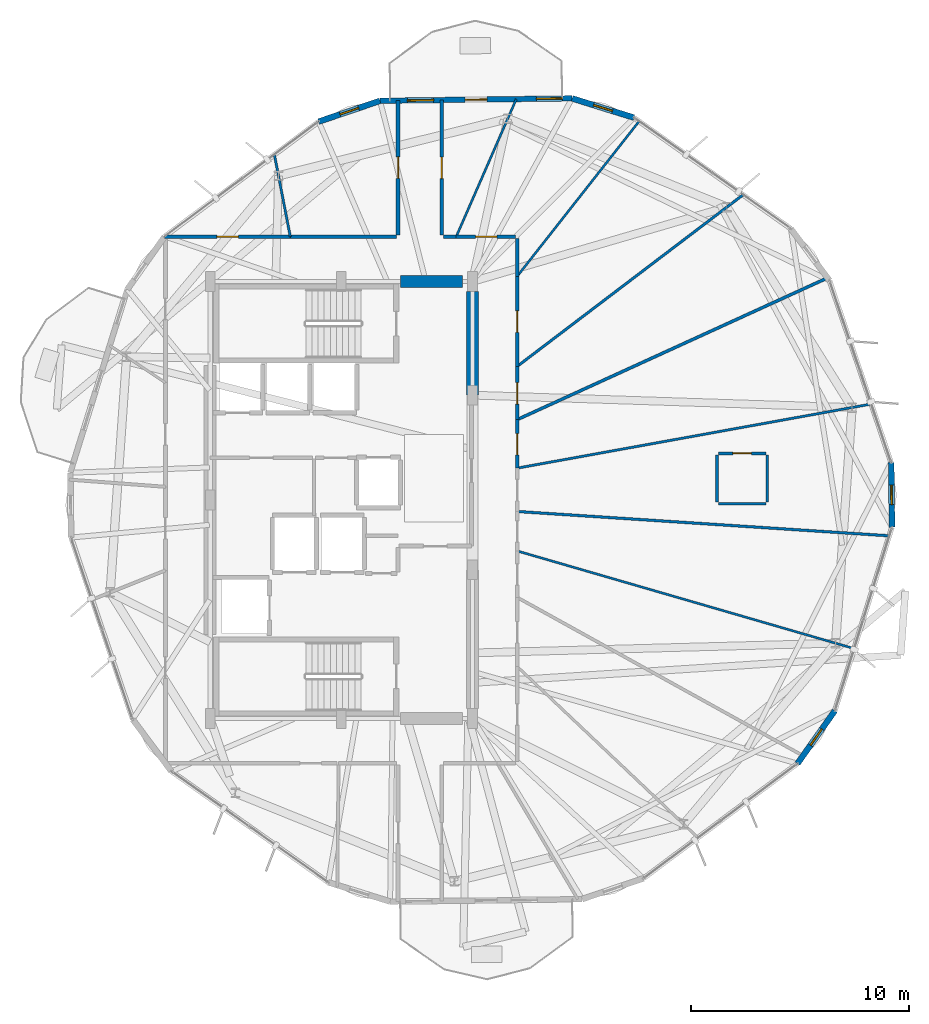
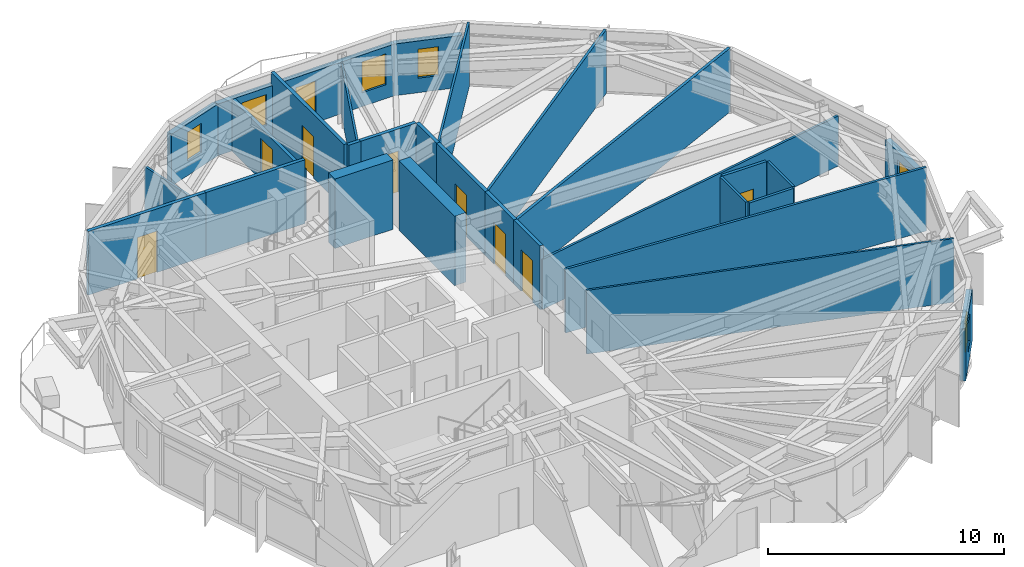
# One storey, part 23 of 27: 29 walls, 9 doors, 6 windows, 15 openings.
"""IFC4 building model written with IfcOpenShell, lengths in metres."""

from ifc_helpers import new_model, si_unit, direction, frame, frame_2d, origin, place, context, subcontext, project, spatial, rectangle, extrude, material, layer, layer_set, type_object, element, fill, save


model = new_model("IFC4")

# Units and contexts
model_context = context("Model", 3, precision=1e-05, world=origin(), true_north=direction((0.0, 1.0)))
body_context = subcontext(model_context, "Body", "Model", "MODEL_VIEW")
ifc_project = project(units=[si_unit("LENGTHUNIT", "METRE"), si_unit("AREAUNIT", "SQUARE_METRE"), si_unit("VOLUMEUNIT", "CUBIC_METRE"), si_unit("PLANEANGLEUNIT", "RADIAN"), si_unit("MASSUNIT", "GRAM", prefix="KILO")], contexts=[model_context])

# Site, building, storey
site_placement = place(None, origin())
site = spatial("IfcSite", under=ifc_project, at=site_placement, CompositionType="ELEMENT")
building_placement = place(site_placement, origin())
building = spatial("IfcBuilding", under=site, at=building_placement, Name="Soratama Intermodal Tower", CompositionType="ELEMENT")
storey_placement = place(building_placement, frame((0.0, 0.0, 167.800048828125)))
storey = spatial("IfcBuildingStorey", under=building, at=storey_placement, Name="L41", CompositionType="ELEMENT", Elevation=167.800048828125)

# Wall, openings, door, windows
ifc_material_1 = material(Name="Concrete f'c 42 MPa", Category="concrete")
ifc_layer_1 = layer(ifc_material_1, 0.25)
ifc_layer_set_1 = layer_set([ifc_layer_1], Name="Concrete f'c 42 MPa")
wall_type_1 = type_object("IfcWallType", Name="EW-BAL-250", PredefinedType="SOLIDWALL", material=ifc_layer_set_1)
wall_1_placement = place(storey_placement, frame((49.165283203125, 43.3828125, 0.0), z_axis=(0.0, 0.0, 1.0), x_axis=(-0.999921223342, -0.012551777187, 0.0)))
wall_1 = element("IfcWall", 1, at=wall_1_placement, inside=storey, type_object=wall_type_1, Name="L41 Terrace Wall F02", PredefinedType="SOLIDWALL", context=body_context, shape_type="SweptSolid", body=[
    extrude(rectangle(XDim=8.791748046875, YDim=0.25, at=frame_2d((4.39599609375, 0.0))), origin(), (0.0, 0.0, 1.0), 2.678955078125),
])
opening_1_placement = place(wall_1_placement, frame((3.895751953125, 0.0, 0.0)))
opening_1 = element("IfcOpeningElement", 2, at=opening_1_placement, cuts=wall_1, Name="Opening ED-2", PredefinedType="OPENING", context=body_context, shape_type="SweptSolid", body=[
    extrude(rectangle(XDim=1.0, YDim=2.14990234375, at=frame_2d((0.5, 1.074951171875))), frame((0.0, 0.135009765625, 0.0), z_axis=(0.0, -1.0, 0.0), x_axis=(1.0, 0.0, 0.0)), (0.0, 0.0, 1.0), 0.27001953125),
])
opening_2_placement = place(wall_1_placement, frame((0.43994140625, 0.0, 0.719970703125)))
opening_2 = element("IfcOpeningElement", 3, at=opening_2_placement, cuts=wall_1, Name="Opening WN-2", PredefinedType="OPENING", context=body_context, shape_type="SweptSolid", body=[
    extrude(rectangle(XDim=1.199951171875, YDim=1.60009765625, at=frame_2d((0.60009765625, 0.800048828125))), frame((0.0, 0.135009765625, 0.0), z_axis=(0.0, -1.0, 0.0), x_axis=(1.0, 0.0, 0.0)), (0.0, 0.0, 1.0), 0.27001953125),
])
opening_3_placement = place(wall_1_placement, frame((6.34375, 0.0, 0.719970703125)))
opening_3 = element("IfcOpeningElement", 4, at=opening_3_placement, cuts=wall_1, Name="Opening WN-2", PredefinedType="OPENING", context=body_context, shape_type="SweptSolid", body=[
    extrude(rectangle(XDim=1.199951171875, YDim=1.60009765625, at=frame_2d((0.60009765625, 0.800048828125))), frame((0.0, 0.135009765625, 0.0), z_axis=(0.0, -1.0, 0.0), x_axis=(1.0, 0.0, 0.0)), (0.0, 0.0, 1.0), 0.27001953125),
])
ifc_material_2 = material(Name="Double-glazed aluminium door", Category="aluminium")
door_type_1 = type_object("IfcDoorType", Name="DR-BAL-1000", OperationType="NOTDEFINED", PredefinedType="DOOR", material=ifc_material_2)
door_1_placement = place(opening_1_placement, origin())
door_1 = element("IfcDoor", 5, at=door_1_placement, inside=storey, type_object=door_type_1, Name="L41 Balcony Door F02", OperationType="SINGLE_SWING_RIGHT", OverallHeight=2.14990234375, OverallWidth=1.0, PredefinedType="DOOR", context=body_context, shape_type="SweptSolid", body=[
    extrude(rectangle(XDim=1.0, YDim=2.14990234375, at=frame_2d((0.5, 1.074951171875))), frame((0.0, 0.02490234375, 0.0), z_axis=(0.0, -1.0, 0.0), x_axis=(1.0, 0.0, 0.0)), (0.0, 0.0, 1.0), 0.050048828125),
])
fill(opening_1, door_1)
ifc_material_3 = material(Name="Double-glazed aluminium window", Category="aluminium")
window_type_1 = type_object("IfcWindowType", Name="WN-FAC-1200", PartitioningType="SINGLE_PANEL", PredefinedType="WINDOW", material=ifc_material_3)
window_1_placement = place(opening_2_placement, origin())
window_1 = element("IfcWindow", 6, at=window_1_placement, inside=storey, type_object=window_type_1, Name="L41 Window A F02", OverallHeight=1.60009765625, OverallWidth=1.199951171875, PartitioningType="SINGLE_PANEL", PredefinedType="WINDOW", context=body_context, shape_type="SweptSolid", body=[
    extrude(rectangle(XDim=1.199951171875, YDim=1.60009765625, at=frame_2d((0.60009765625, 0.800048828125))), frame((0.0, 0.030029296875, 0.0), z_axis=(0.0, -1.0, 0.0), x_axis=(1.0, 0.0, 0.0)), (0.0, 0.0, 1.0), 0.06005859375),
])
fill(opening_2, window_1)
window_2_placement = place(opening_3_placement, origin())
window_2 = element("IfcWindow", 7, at=window_2_placement, inside=storey, type_object=window_type_1, Name="L41 Window B F02", OverallHeight=1.60009765625, OverallWidth=1.199951171875, PartitioningType="SINGLE_PANEL", PredefinedType="WINDOW", context=body_context, shape_type="SweptSolid", body=[
    extrude(rectangle(XDim=1.199951171875, YDim=1.60009765625, at=frame_2d((0.60009765625, 0.800048828125))), frame((0.0, 0.030029296875, 0.0), z_axis=(0.0, -1.0, 0.0), x_axis=(1.0, 0.0, 0.0)), (0.0, 0.0, 1.0), 0.06005859375),
])
fill(opening_3, window_2)

# Wall, opening, window
ifc_material_4 = material(Name="Concrete f'c 42 MPa", Category="concrete")
ifc_layer_2 = layer(ifc_material_4, 0.27001953125)
ifc_layer_set_2 = layer_set([ifc_layer_2], Name="Concrete f'c 42 MPa")
wall_type_2 = type_object("IfcWallType", Name="EW-CRN-270", PredefinedType="SOLIDWALL", material=ifc_layer_set_2)
wall_2_placement = place(storey_placement, frame((51.997802734375, 42.501708984375, 0.0), z_axis=(0.0, 0.0, 1.0), x_axis=(-0.954868707694, 0.29702819911, 0.0)))
wall_2 = element("IfcWall", 8, at=wall_2_placement, inside=storey, type_object=wall_type_2, Name="L41 Corner Closure Wall 01", PredefinedType="SOLIDWALL", context=body_context, shape_type="SweptSolid", body=[
    extrude(rectangle(XDim=2.96630859375, YDim=0.27001953125, at=frame_2d((1.483154296875, 0.0))), origin(), (0.0, 0.0, 1.0), 2.678955078125),
])
opening_4_placement = place(wall_2_placement, frame((1.033203125, 0.0, 0.75)))
opening_4 = element("IfcOpeningElement", 9, at=opening_4_placement, cuts=wall_2, Name="Opening WN-6", PredefinedType="OPENING", context=body_context, shape_type="SweptSolid", body=[
    extrude(rectangle(XDim=0.89990234375, YDim=1.5, at=frame_2d((0.449951171875, 0.75))), frame((0.0, 0.14501953125, 0.0), z_axis=(0.0, -1.0, 0.0), x_axis=(1.0, 0.0, 0.0)), (0.0, 0.0, 1.0), 0.2900390625),
])
ifc_material_5 = material(Name="Double-glazed aluminium window", Category="aluminium")
window_type_2 = type_object("IfcWindowType", Name="WN-FAC-900", PartitioningType="SINGLE_PANEL", PredefinedType="WINDOW", material=ifc_material_5)
window_3_placement = place(opening_4_placement, origin())
window_3 = element("IfcWindow", 10, at=window_3_placement, inside=storey, type_object=window_type_2, Name="L41 Corner Window 01", OverallHeight=1.5, OverallWidth=0.89990234375, PartitioningType="SINGLE_PANEL", PredefinedType="WINDOW", context=body_context, shape_type="SweptSolid", body=[
    extrude(rectangle(XDim=0.89990234375, YDim=1.5, at=frame_2d((0.449951171875, 0.75))), frame((0.0, 0.030029296875, 0.0), z_axis=(0.0, -1.0, 0.0), x_axis=(1.0, 0.0, 0.0)), (0.0, 0.0, 1.0), 0.06005859375),
])
fill(opening_4, window_3)

wall_3_placement = place(storey_placement, frame((40.374267578125, 43.2724609375, 0.0), z_axis=(0.0, 0.0, 1.0), x_axis=(-0.947099800271, -0.320939197242, 0.0)))
wall_3 = element("IfcWall", 11, at=wall_3_placement, inside=storey, type_object=wall_type_2, Name="L41 Corner Closure Wall 02", PredefinedType="SOLIDWALL", context=body_context, shape_type="SweptSolid", body=[
    extrude(rectangle(XDim=2.966796875, YDim=0.27001953125, at=frame_2d((1.4833984375, 0.0))), origin(), (0.0, 0.0, 1.0), 2.678955078125),
])
opening_5_placement = place(wall_3_placement, frame((1.033203125, 0.0, 0.75)))
opening_5 = element("IfcOpeningElement", 12, at=opening_5_placement, cuts=wall_3, Name="Opening WN-6", PredefinedType="OPENING", context=body_context, shape_type="SweptSolid", body=[
    extrude(rectangle(XDim=0.89990234375, YDim=1.5, at=frame_2d((0.449951171875, 0.75))), frame((0.0, 0.14501953125, 0.0), z_axis=(0.0, -1.0, 0.0), x_axis=(1.0, 0.0, 0.0)), (0.0, 0.0, 1.0), 0.2900390625),
])
window_4_placement = place(opening_5_placement, origin())
window_4 = element("IfcWindow", 13, at=window_4_placement, inside=storey, type_object=window_type_2, Name="L41 Corner Window 02", OverallHeight=1.5, OverallWidth=0.89990234375, PartitioningType="SINGLE_PANEL", PredefinedType="WINDOW", context=body_context, shape_type="SweptSolid", body=[
    extrude(rectangle(XDim=0.89990234375, YDim=1.5, at=frame_2d((0.449951171875, 0.75))), frame((0.0, 0.030029296875, 0.0), z_axis=(0.0, -1.0, 0.0), x_axis=(1.0, 0.0, 0.0)), (0.0, 0.0, 1.0), 0.06005859375),
])
fill(opening_5, window_4)

wall_4_placement = place(storey_placement, frame((59.482666015625, 12.936279296875, 0.0), z_axis=(0.0, 0.0, 1.0), x_axis=(0.577542313639, 0.816360751112, 0.0)))
wall_4 = element("IfcWall", 14, at=wall_4_placement, inside=storey, type_object=wall_type_2, Name="L41 Corner Closure Wall 08", PredefinedType="SOLIDWALL", context=body_context, shape_type="SweptSolid", body=[
    extrude(rectangle(XDim=2.966552734375, YDim=0.27001953125, at=frame_2d((1.4833984375, 0.0))), origin(), (0.0, 0.0, 1.0), 2.678955078125),
])
opening_6_placement = place(wall_4_placement, frame((1.033203125, 0.0, 0.75)))
opening_6 = element("IfcOpeningElement", 15, at=opening_6_placement, cuts=wall_4, Name="Opening WN-6", PredefinedType="OPENING", context=body_context, shape_type="SweptSolid", body=[
    extrude(rectangle(XDim=0.89990234375, YDim=1.5, at=frame_2d((0.449951171875, 0.75))), frame((0.0, 0.14501953125, 0.0), z_axis=(0.0, -1.0, 0.0), x_axis=(1.0, 0.0, 0.0)), (0.0, 0.0, 1.0), 0.2900390625),
])
window_5_placement = place(opening_6_placement, origin())
window_5 = element("IfcWindow", 16, at=window_5_placement, inside=storey, type_object=window_type_2, Name="L41 Corner Window 08", OverallHeight=1.5, OverallWidth=0.89990234375, PartitioningType="SINGLE_PANEL", PredefinedType="WINDOW", context=body_context, shape_type="SweptSolid", body=[
    extrude(rectangle(XDim=0.89990234375, YDim=1.5, at=frame_2d((0.449951171875, 0.75))), frame((0.0, 0.030029296875, 0.0), z_axis=(0.0, -1.0, 0.0), x_axis=(1.0, 0.0, 0.0)), (0.0, 0.0, 1.0), 0.06005859375),
])
fill(opening_6, window_5)

wall_5_placement = place(storey_placement, frame((63.8076171875, 23.7529296875, 0.0), z_axis=(0.0, 0.0, 1.0), x_axis=(-0.012591594286, 0.999920722734, 0.0)))
wall_5 = element("IfcWall", 17, at=wall_5_placement, inside=storey, type_object=wall_type_2, Name="L41 Corner Closure Wall 09", PredefinedType="SOLIDWALL", context=body_context, shape_type="SweptSolid", body=[
    extrude(rectangle(XDim=2.966552734375, YDim=0.27001953125, at=frame_2d((1.4833984375, 0.0))), origin(), (0.0, 0.0, 1.0), 2.678955078125),
])
opening_7_placement = place(wall_5_placement, frame((1.033203125, 0.0, 0.75)))
opening_7 = element("IfcOpeningElement", 18, at=opening_7_placement, cuts=wall_5, Name="Opening WN-6", PredefinedType="OPENING", context=body_context, shape_type="SweptSolid", body=[
    extrude(rectangle(XDim=0.89990234375, YDim=1.5, at=frame_2d((0.449951171875, 0.75))), frame((0.0, 0.14501953125, 0.0), z_axis=(0.0, -1.0, 0.0), x_axis=(1.0, 0.0, 0.0)), (0.0, 0.0, 1.0), 0.2900390625),
])
window_6_placement = place(opening_7_placement, origin())
window_6 = element("IfcWindow", 19, at=window_6_placement, inside=storey, type_object=window_type_2, Name="L41 Corner Window 09", OverallHeight=1.5, OverallWidth=0.89990234375, PartitioningType="SINGLE_PANEL", PredefinedType="WINDOW", context=body_context, shape_type="SweptSolid", body=[
    extrude(rectangle(XDim=0.89990234375, YDim=1.5, at=frame_2d((0.449951171875, 0.75))), frame((0.0, 0.030029296875, 0.0), z_axis=(0.0, -1.0, 0.0), x_axis=(1.0, 0.0, 0.0)), (0.0, 0.0, 1.0), 0.06005859375),
])
fill(opening_7, window_6)

# Wall, opening, door
ifc_material_6 = material(Name="Fire-rated gypsum stud partition", Category="concrete")
ifc_layer_3 = layer(ifc_material_6, 0.169921875)
ifc_layer_set_3 = layer_set([ifc_layer_3], Name="Fire-rated gypsum stud partition")
wall_type_3 = type_object("IfcWallType", Name="IW-PART-R170", PredefinedType="PARTITIONING", material=ifc_layer_set_3)
wall_6_placement = place(storey_placement, frame((43.199951171875, 43.30810546875, 0.0), z_axis=(0.0, 0.0, 1.0), x_axis=(0.0, -1.0, 0.0)))
wall_6 = element("IfcWall", 20, at=wall_6_placement, inside=storey, type_object=wall_type_3, Name="L41 Partition W-L41-TP017", PredefinedType="PARTITIONING", context=body_context, shape_type="SweptSolid", body=[
    extrude(rectangle(XDim=6.18798828125, YDim=0.169921875, at=frame_2d((3.093994140625, 0.0))), origin(), (0.0, 0.0, 1.0), 3.300048828125),
])
opening_8_placement = place(wall_6_placement, frame((2.618896484375, 0.0, 0.0)))
opening_8 = element("IfcOpeningElement", 21, at=opening_8_placement, cuts=wall_6, Name="Opening ID-5", PredefinedType="OPENING", context=body_context, shape_type="SweptSolid", body=[
    extrude(rectangle(XDim=0.97998046875, YDim=2.14990234375, at=frame_2d((0.489990234375, 1.074951171875))), frame((0.0, 0.094970703125, 0.0), z_axis=(0.0, -1.0, 0.0), x_axis=(1.0, 0.0, 0.0)), (0.0, 0.0, 1.0), 0.18994140625),
])
ifc_material_7 = material(Name="Solid hardwood acoustic door", Category="wood")
door_type_2 = type_object("IfcDoorType", Name="DR-OFF-980", OperationType="NOTDEFINED", PredefinedType="DOOR", material=ifc_material_7)
door_2_placement = place(opening_8_placement, origin())
door_2 = element("IfcDoor", 22, at=door_2_placement, inside=storey, type_object=door_type_2, Name="L41 Door D-L41-TP007", OperationType="SINGLE_SWING_RIGHT", OverallHeight=2.14990234375, OverallWidth=0.97998046875, PredefinedType="DOOR", context=body_context, shape_type="SweptSolid", body=[
    extrude(rectangle(XDim=0.97998046875, YDim=2.14990234375, at=frame_2d((0.489990234375, 1.074951171875))), frame((0.0, 0.02490234375, 0.0), z_axis=(0.0, -1.0, 0.0), x_axis=(1.0, 0.0, 0.0)), (0.0, 0.0, 1.0), 0.050048828125),
])
fill(opening_8, door_2)

wall_7_placement = place(storey_placement, frame((41.199951171875, 37.1201171875, 0.0), z_axis=(0.0, 0.0, 1.0), x_axis=(0.0, 1.0, 0.0)))
wall_7 = element("IfcWall", 23, at=wall_7_placement, inside=storey, type_object=wall_type_3, Name="L41 Partition W-L41-TP018", PredefinedType="PARTITIONING", context=body_context, shape_type="SweptSolid", body=[
    extrude(rectangle(XDim=6.162841796875, YDim=0.169921875, at=frame_2d((3.08154296875, 0.0))), origin(), (0.0, 0.0, 1.0), 2.677978515625),
])
opening_9_placement = place(wall_7_placement, frame((2.60693359375, 0.0, 0.0)))
opening_9 = element("IfcOpeningElement", 24, at=opening_9_placement, cuts=wall_7, Name="Opening ID-5", PredefinedType="OPENING", context=body_context, shape_type="SweptSolid", body=[
    extrude(rectangle(XDim=0.97998046875, YDim=2.14990234375, at=frame_2d((0.489990234375, 1.074951171875))), frame((0.0, 0.094970703125, 0.0), z_axis=(0.0, -1.0, 0.0), x_axis=(1.0, 0.0, 0.0)), (0.0, 0.0, 1.0), 0.18994140625),
])
door_3_placement = place(opening_9_placement, origin())
door_3 = element("IfcDoor", 25, at=door_3_placement, inside=storey, type_object=door_type_2, Name="L41 Door D-L41-TP008", OperationType="SINGLE_SWING_LEFT", OverallHeight=2.14990234375, OverallWidth=0.97998046875, PredefinedType="DOOR", context=body_context, shape_type="SweptSolid", body=[
    extrude(rectangle(XDim=0.97998046875, YDim=2.14990234375, at=frame_2d((0.489990234375, 1.074951171875))), frame((0.0, 0.02490234375, 0.0), z_axis=(0.0, -1.0, 0.0), x_axis=(1.0, 0.0, 0.0)), (0.0, 0.0, 1.0), 0.050048828125),
])
fill(opening_9, door_3)

wall_8_placement = place(storey_placement, frame((30.50390625, 37.050048828125, 0.0), z_axis=(0.0, 0.0, 1.0), x_axis=(1.0, 0.0, 0.0)))
wall_8 = element("IfcWall", 26, at=wall_8_placement, inside=storey, type_object=wall_type_3, Name="L41 Partition W-L41-TP019", PredefinedType="PARTITIONING", context=body_context, shape_type="SweptSolid", body=[
    extrude(rectangle(XDim=5.76318359375, YDim=0.169921875, at=frame_2d((2.881591796875, 0.0))), origin(), (0.0, 0.0, 1.0), 3.300048828125),
])
opening_10_placement = place(wall_8_placement, frame((2.406982421875, 0.0, 0.0)))
opening_10 = element("IfcOpeningElement", 27, at=opening_10_placement, cuts=wall_8, Name="Opening ID-5", PredefinedType="OPENING", context=body_context, shape_type="SweptSolid", body=[
    extrude(rectangle(XDim=0.97998046875, YDim=2.14990234375, at=frame_2d((0.489990234375, 1.074951171875))), frame((0.0, 0.094970703125, 0.0), z_axis=(0.0, -1.0, 0.0), x_axis=(1.0, 0.0, 0.0)), (0.0, 0.0, 1.0), 0.18994140625),
])
door_4_placement = place(opening_10_placement, origin())
door_4 = element("IfcDoor", 28, at=door_4_placement, inside=storey, type_object=door_type_2, Name="L41 Door D-L41-TP009", OperationType="SINGLE_SWING_RIGHT", OverallHeight=2.14990234375, OverallWidth=0.97998046875, PredefinedType="DOOR", context=body_context, shape_type="SweptSolid", body=[
    extrude(rectangle(XDim=0.97998046875, YDim=2.14990234375, at=frame_2d((0.489990234375, 1.074951171875))), frame((0.0, 0.02490234375, 0.0), z_axis=(0.0, -1.0, 0.0), x_axis=(1.0, 0.0, 0.0)), (0.0, 0.0, 1.0), 0.050048828125),
])
fill(opening_10, door_4)

# Wall
wall_9_placement = place(storey_placement, frame((36.26708984375, 37.050048828125, 0.0), z_axis=(0.0, 0.0, 1.0), x_axis=(1.0, 0.0, 0.0)))
element("IfcWall", 29, at=wall_9_placement, inside=storey, type_object=wall_type_3, Name="L41 Partition W-L41-TP021", PredefinedType="PARTITIONING", context=body_context, shape_type="SweptSolid", body=[
    extrude(rectangle(XDim=4.86279296875, YDim=0.169921875, at=frame_2d((2.431396484375, 0.0))), origin(), (0.0, 0.0, 1.0), 3.300048828125),
])

# Wall, opening, door
wall_10_placement = place(storey_placement, frame((46.64990234375, 35.237060546875, 0.0), z_axis=(0.0, 0.0, 1.0), x_axis=(0.0, -1.0, 0.0)))
wall_10 = element("IfcWall", 30, at=wall_10_placement, inside=storey, type_object=wall_type_3, Name="L41 Partition W-L41-TP026", PredefinedType="PARTITIONING", context=body_context, shape_type="SweptSolid", body=[
    extrude(rectangle(XDim=4.1220703125, YDim=0.169921875, at=frame_2d((2.06103515625, 0.0))), origin(), (0.0, 0.0, 1.0), 3.300048828125),
])
opening_11_placement = place(wall_10_placement, frame((1.5859375, 0.0, 0.0)))
opening_11 = element("IfcOpeningElement", 31, at=opening_11_placement, cuts=wall_10, Name="Opening ID-5", PredefinedType="OPENING", context=body_context, shape_type="SweptSolid", body=[
    extrude(rectangle(XDim=0.97998046875, YDim=2.14990234375, at=frame_2d((0.489990234375, 1.074951171875))), frame((0.0, 0.094970703125, 0.0), z_axis=(0.0, -1.0, 0.0), x_axis=(1.0, 0.0, 0.0)), (0.0, 0.0, 1.0), 0.18994140625),
])
door_5_placement = place(opening_11_placement, origin())
door_5 = element("IfcDoor", 32, at=door_5_placement, inside=storey, type_object=door_type_2, Name="L41 Door D-L41-TP013", OperationType="SINGLE_SWING_RIGHT", OverallHeight=2.14990234375, OverallWidth=0.97998046875, PredefinedType="DOOR", context=body_context, shape_type="SweptSolid", body=[
    extrude(rectangle(XDim=0.97998046875, YDim=2.14990234375, at=frame_2d((0.489990234375, 1.074951171875))), frame((0.0, 0.02490234375, 0.0), z_axis=(0.0, -1.0, 0.0), x_axis=(1.0, 0.0, 0.0)), (0.0, 0.0, 1.0), 0.050048828125),
])
fill(opening_11, door_5)

wall_11_placement = place(storey_placement, frame((43.860107421875, 37.050048828125, 0.0), z_axis=(0.0, 0.0, 1.0), x_axis=(1.0, 0.0, 0.0)))
wall_11 = element("IfcWall", 33, at=wall_11_placement, inside=storey, type_object=wall_type_3, Name="L41 Partition W-L41-TP033", PredefinedType="PARTITIONING", context=body_context, shape_type="SweptSolid", body=[
    extrude(rectangle(XDim=2.719970703125, YDim=0.169921875, at=frame_2d((1.35986328125, 0.0))), origin(), (0.0, 0.0, 1.0), 3.300048828125),
])
opening_12_placement = place(wall_11_placement, frame((0.885009765625, 0.0, 0.0)))
opening_12 = element("IfcOpeningElement", 34, at=opening_12_placement, cuts=wall_11, Name="Opening ID-5", PredefinedType="OPENING", context=body_context, shape_type="SweptSolid", body=[
    extrude(rectangle(XDim=0.97998046875, YDim=2.14990234375, at=frame_2d((0.489990234375, 1.074951171875))), frame((0.0, 0.094970703125, 0.0), z_axis=(0.0, -1.0, 0.0), x_axis=(1.0, 0.0, 0.0)), (0.0, 0.0, 1.0), 0.18994140625),
])
door_6_placement = place(opening_12_placement, origin())
door_6 = element("IfcDoor", 35, at=door_6_placement, inside=storey, type_object=door_type_2, Name="L41 Door D-L41-TP017", OperationType="SINGLE_SWING_RIGHT", OverallHeight=2.14990234375, OverallWidth=0.97998046875, PredefinedType="DOOR", context=body_context, shape_type="SweptSolid", body=[
    extrude(rectangle(XDim=0.97998046875, YDim=2.14990234375, at=frame_2d((0.489990234375, 1.074951171875))), frame((0.0, 0.02490234375, 0.0), z_axis=(0.0, -1.0, 0.0), x_axis=(1.0, 0.0, 0.0)), (0.0, 0.0, 1.0), 0.050048828125),
])
fill(opening_12, door_6)

wall_12_placement = place(storey_placement, frame((46.64990234375, 31.114990234375, 0.0), z_axis=(0.0, 0.0, 1.0), x_axis=(0.0, -1.0, 0.0)))
wall_12 = element("IfcWall", 36, at=wall_12_placement, inside=storey, type_object=wall_type_3, Name="L41 Partition W-L41-TP037", PredefinedType="PARTITIONING", context=body_context, shape_type="SweptSolid", body=[
    extrude(rectangle(XDim=2.43798828125, YDim=0.169921875, at=frame_2d((1.218994140625, 0.0))), origin(), (0.0, 0.0, 1.0), 3.300048828125),
])
opening_13_placement = place(wall_12_placement, frame((0.743896484375, 0.0, 0.0)))
opening_13 = element("IfcOpeningElement", 37, at=opening_13_placement, cuts=wall_12, Name="Opening ID-5", PredefinedType="OPENING", context=body_context, shape_type="SweptSolid", body=[
    extrude(rectangle(XDim=0.97998046875, YDim=2.14990234375, at=frame_2d((0.489990234375, 1.074951171875))), frame((0.0, 0.094970703125, 0.0), z_axis=(0.0, -1.0, 0.0), x_axis=(1.0, 0.0, 0.0)), (0.0, 0.0, 1.0), 0.18994140625),
])
door_7_placement = place(opening_13_placement, origin())
door_7 = element("IfcDoor", 38, at=door_7_placement, inside=storey, type_object=door_type_2, Name="L41 Door D-L41-TP018", OperationType="SINGLE_SWING_LEFT", OverallHeight=2.14990234375, OverallWidth=0.97998046875, PredefinedType="DOOR", context=body_context, shape_type="SweptSolid", body=[
    extrude(rectangle(XDim=0.97998046875, YDim=2.14990234375, at=frame_2d((0.489990234375, 1.074951171875))), frame((0.0, 0.02490234375, 0.0), z_axis=(0.0, -1.0, 0.0), x_axis=(1.0, 0.0, 0.0)), (0.0, 0.0, 1.0), 0.050048828125),
])
fill(opening_13, door_7)

wall_13_placement = place(storey_placement, frame((46.64990234375, 28.677001953125, 0.0), z_axis=(0.0, 0.0, 1.0), x_axis=(0.0, -1.0, 0.0)))
wall_13 = element("IfcWall", 39, at=wall_13_placement, inside=storey, type_object=wall_type_3, Name="L41 Partition W-L41-TP038", PredefinedType="PARTITIONING", context=body_context, shape_type="SweptSolid", body=[
    extrude(rectangle(XDim=2.218994140625, YDim=0.169921875, at=frame_2d((1.109375, 0.0))), origin(), (0.0, 0.0, 1.0), 3.300048828125),
])
opening_14_placement = place(wall_13_placement, frame((0.635009765625, 0.0, 0.0)))
opening_14 = element("IfcOpeningElement", 40, at=opening_14_placement, cuts=wall_13, Name="Opening ID-5", PredefinedType="OPENING", context=body_context, shape_type="SweptSolid", body=[
    extrude(rectangle(XDim=0.97998046875, YDim=2.14990234375, at=frame_2d((0.489990234375, 1.074951171875))), frame((0.0, 0.094970703125, 0.0), z_axis=(0.0, -1.0, 0.0), x_axis=(1.0, 0.0, 0.0)), (0.0, 0.0, 1.0), 0.18994140625),
])
door_8_placement = place(opening_14_placement, origin())
door_8 = element("IfcDoor", 41, at=door_8_placement, inside=storey, type_object=door_type_2, Name="L41 Door D-L41-TP019", OperationType="SINGLE_SWING_RIGHT", OverallHeight=2.14990234375, OverallWidth=0.97998046875, PredefinedType="DOOR", context=body_context, shape_type="SweptSolid", body=[
    extrude(rectangle(XDim=0.97998046875, YDim=2.14990234375, at=frame_2d((0.489990234375, 1.074951171875))), frame((0.0, 0.02490234375, 0.0), z_axis=(0.0, -1.0, 0.0), x_axis=(1.0, 0.0, 0.0)), (0.0, 0.0, 1.0), 0.050048828125),
])
fill(opening_14, door_8)

# Walls
wall_14_placement = place(storey_placement, frame((46.64990234375, 36.97998046875, 0.0), z_axis=(0.0, 0.0, 1.0), x_axis=(0.0, -1.0, 0.0)))
element("IfcWall", 42, at=wall_14_placement, inside=storey, type_object=wall_type_3, Name="L41 Partition W-L41-TP047", PredefinedType="PARTITIONING", context=body_context, shape_type="SweptSolid", body=[
    extrude(rectangle(XDim=1.742919921875, YDim=0.169921875, at=frame_2d((0.87158203125, 0.0))), origin(), (0.0, 0.0, 1.0), 3.300048828125),
])
wall_15_placement = place(storey_placement, frame((43.27001953125, 37.050048828125, 0.0), z_axis=(0.0, 0.0, 1.0), x_axis=(1.0, 0.0, 0.0)))
element("IfcWall", 43, at=wall_15_placement, inside=storey, type_object=wall_type_3, Name="L41 Partition W-L41-TP051", PredefinedType="PARTITIONING", context=body_context, shape_type="SweptSolid", body=[
    extrude(rectangle(XDim=0.590087890625, YDim=0.169921875, at=frame_2d((0.294921875, 0.0))), origin(), (0.0, 0.0, 1.0), 3.300048828125),
])
ifc_material_8 = material(Name="Fire-rated gypsum stud partition", Category="concrete")
ifc_layer_4 = layer(ifc_material_8, 0.10009765625)
ifc_layer_set_4 = layer_set([ifc_layer_4], Name="Fire-rated gypsum stud partition")
wall_type_4 = type_object("IfcWallType", Name="IW-PART-S100", PredefinedType="PARTITIONING", material=ifc_layer_set_4)
wall_16_placement = place(storey_placement, frame((46.64990234375, 22.66796875, 0.0), z_axis=(0.0, 0.0, 1.0), x_axis=(0.960487742443, -0.278322289113, 0.0)))
element("IfcWall", 44, at=wall_16_placement, inside=storey, type_object=wall_type_4, Name="L41 Partition W-L41-TP003", PredefinedType="PARTITIONING", context=body_context, shape_type="SweptSolid", body=[
    extrude(rectangle(XDim=16.06396484375, YDim=0.10009765625, at=frame_2d((8.031982421875, 0.0))), origin(), (0.0, 0.0, 1.0), 3.300048828125),
])
wall_17_placement = place(storey_placement, frame((46.64990234375, 35.237060546875, 0.0), z_axis=(0.0, 0.0, 1.0), x_axis=(0.618238163574, 0.785990822529, 0.0)))
element("IfcWall", 45, at=wall_17_placement, inside=storey, type_object=wall_type_4, Name="L41 Partition W-L41-TP008", PredefinedType="PARTITIONING", context=body_context, shape_type="SweptSolid", body=[
    extrude(rectangle(XDim=9.030517578125, YDim=0.10009765625, at=frame_2d((4.51513671875, 0.0))), origin(), (0.0, 0.0, 1.0), 3.300048828125),
])
wall_18_placement = place(storey_placement, frame((43.860107421875, 37.050048828125, 0.0), z_axis=(0.0, 0.0, 1.0), x_axis=(0.400120171494, 0.916462682472, 0.0)))
element("IfcWall", 46, at=wall_18_placement, inside=storey, type_object=wall_type_4, Name="L41 Partition W-L41-TP013", PredefinedType="PARTITIONING", context=body_context, shape_type="SweptSolid", body=[
    extrude(rectangle(XDim=6.87548828125, YDim=0.10009765625, at=frame_2d((3.437744140625, 0.0))), origin(), (0.0, 0.0, 1.0), 2.594970703125),
])
ifc_material_9 = material(Name="Fire-rated gypsum stud partition", Category="concrete")
ifc_layer_5 = layer(ifc_material_9, 0.110107421875)
ifc_layer_set_5 = layer_set([ifc_layer_5], Name="Fire-rated gypsum stud partition")
wall_type_5 = type_object("IfcWallType", Name="IW-PART-S110", PredefinedType="PARTITIONING", material=ifc_layer_set_5)
wall_19_placement = place(storey_placement, frame((46.64990234375, 26.4580078125, 0.0), z_axis=(0.0, 0.0, 1.0), x_axis=(0.983997671366, 0.17818131986, 0.0)))
element("IfcWall", 47, at=wall_19_placement, inside=storey, type_object=wall_type_5, Name="L41 Partition W-L41-TP002", PredefinedType="PARTITIONING", context=body_context, shape_type="SweptSolid", body=[
    extrude(rectangle(XDim=16.477783203125, YDim=0.110107421875, at=frame_2d((8.23876953125, 0.0))), origin(), (0.0, 0.0, 1.0), 2.594970703125),
])
wall_20_placement = place(storey_placement, frame((36.26708984375, 37.050048828125, 0.0), z_axis=(0.0, 0.0, 1.0), x_axis=(-0.190386673519, 0.981709180229, 0.0)))
element("IfcWall", 48, at=wall_20_placement, inside=storey, type_object=wall_type_5, Name="L41 Partition W-L41-TP027", PredefinedType="PARTITIONING", context=body_context, shape_type="SweptSolid", body=[
    extrude(rectangle(XDim=3.8291015625, YDim=0.110107421875, at=frame_2d((1.91455078125, 0.0))), origin(), (0.0, 0.0, 1.0), 2.594970703125),
])
wall_21_placement = place(storey_placement, frame((58.10009765625, 24.90087890625, 0.0), z_axis=(0.0, 0.0, 1.0), x_axis=(0.0, 1.0, 0.0)))
element("IfcWall", 49, at=wall_21_placement, inside=storey, type_object=wall_type_5, Name="L41 Partition W-L41-TP042", PredefinedType="PARTITIONING", context=body_context, shape_type="SweptSolid", body=[
    extrude(rectangle(XDim=2.16015625, YDim=0.110107421875, at=frame_2d((1.080078125, 0.0))), origin(), (0.0, 0.0, 1.0), 3.300048828125),
])
ifc_material_10 = material(Name="Fire-rated gypsum stud partition", Category="concrete")
ifc_layer_6 = layer(ifc_material_10, 0.1201171875)
ifc_layer_set_6 = layer_set([ifc_layer_6], Name="Fire-rated gypsum stud partition")
wall_type_6 = type_object("IfcWallType", Name="IW-PART-S120", PredefinedType="PARTITIONING", material=ifc_layer_set_6)
wall_22_placement = place(storey_placement, frame((63.68505859375, 23.360107421875, 0.0), z_axis=(0.0, 0.0, 1.0), x_axis=(-0.997868582242, 0.065255594198, 0.0)))
element("IfcWall", 50, at=wall_22_placement, inside=storey, type_object=wall_type_6, Name="L41 Partition W-L41-TP001", PredefinedType="PARTITIONING", context=body_context, shape_type="SweptSolid", body=[
    extrude(rectangle(XDim=17.071533203125, YDim=0.1201171875, at=frame_2d((8.53564453125, 0.0))), origin(), (0.0, 0.0, 1.0), 3.300048828125),
])
wall_23_placement = place(storey_placement, frame((46.64990234375, 31.114990234375, 0.0), z_axis=(0.0, 0.0, 1.0), x_axis=(0.796355255038, 0.604829155856, 0.0)))
element("IfcWall", 51, at=wall_23_placement, inside=storey, type_object=wall_type_6, Name="L41 Partition W-L41-TP006", PredefinedType="PARTITIONING", context=body_context, shape_type="SweptSolid", body=[
    extrude(rectangle(XDim=12.985595703125, YDim=0.1201171875, at=frame_2d((6.49267578125, 0.0))), origin(), (0.0, 0.0, 1.0), 3.300048828125),
])
wall_24_placement = place(storey_placement, frame((55.800048828125, 27.06103515625, 0.0), z_axis=(0.0, 0.0, 1.0), x_axis=(0.0, -1.0, 0.0)))
element("IfcWall", 52, at=wall_24_placement, inside=storey, type_object=wall_type_6, Name="L41 Partition W-L41-TP041", PredefinedType="PARTITIONING", context=body_context, shape_type="SweptSolid", body=[
    extrude(rectangle(XDim=2.16015625, YDim=0.1201171875, at=frame_2d((1.080078125, 0.0))), origin(), (0.0, 0.0, 1.0), 3.300048828125),
])
ifc_material_11 = material(Name="Fire-rated gypsum stud partition", Category="concrete")
ifc_layer_7 = layer(ifc_material_11, 0.1298828125)
ifc_layer_set_7 = layer_set([ifc_layer_7], Name="Fire-rated gypsum stud partition")
wall_type_7 = type_object("IfcWallType", Name="IW-PART-S130", PredefinedType="PARTITIONING", material=ifc_layer_set_7)
wall_25_placement = place(storey_placement, frame((55.8701171875, 24.8310546875, 0.0), z_axis=(0.0, 0.0, 1.0), x_axis=(1.0, 0.0, 0.0)))
element("IfcWall", 53, at=wall_25_placement, inside=storey, type_object=wall_type_7, Name="L41 Partition W-L41-TP040", PredefinedType="PARTITIONING", context=body_context, shape_type="SweptSolid", body=[
    extrude(rectangle(XDim=2.159912109375, YDim=0.1298828125, at=frame_2d((1.080078125, 0.0))), origin(), (0.0, 0.0, 1.0), 3.300048828125),
])
ifc_material_12 = material(Name="Fire-rated gypsum stud partition", Category="concrete")
ifc_layer_8 = layer(ifc_material_12, 0.139892578125)
ifc_layer_set_8 = layer_set([ifc_layer_8], Name="Fire-rated gypsum stud partition")
wall_type_8 = type_object("IfcWallType", Name="IW-PART-S140", PredefinedType="PARTITIONING", material=ifc_layer_set_8)
wall_26_placement = place(storey_placement, frame((46.64990234375, 28.677001953125, 0.0), z_axis=(0.0, 0.0, 1.0), x_axis=(0.909598522635, 0.41548830022, 0.0)))
element("IfcWall", 54, at=wall_26_placement, inside=storey, type_object=wall_type_8, Name="L41 Partition W-L41-TP004", PredefinedType="PARTITIONING", context=body_context, shape_type="SweptSolid", body=[
    extrude(rectangle(XDim=15.644287109375, YDim=0.139892578125, at=frame_2d((7.822265625, 0.0))), origin(), (0.0, 0.0, 1.0), 3.300048828125),
])

# Wall, opening, door
wall_27_placement = place(storey_placement, frame((58.030029296875, 27.131103515625, 0.0), z_axis=(0.0, 0.0, 1.0), x_axis=(-1.0, 0.0, 0.0)))
wall_27 = element("IfcWall", 55, at=wall_27_placement, inside=storey, type_object=wall_type_8, Name="L41 Partition W-L41-TP039", PredefinedType="PARTITIONING", context=body_context, shape_type="SweptSolid", body=[
    extrude(rectangle(XDim=2.159912109375, YDim=0.139892578125, at=frame_2d((1.080078125, 0.0))), origin(), (0.0, 0.0, 1.0), 3.300048828125),
])
opening_15_placement = place(wall_27_placement, frame((0.655029296875, 0.0, 0.0)))
opening_15 = element("IfcOpeningElement", 56, at=opening_15_placement, cuts=wall_27, Name="Opening ID-4", PredefinedType="OPENING", context=body_context, shape_type="SweptSolid", body=[
    extrude(rectangle(XDim=0.85009765625, YDim=2.10009765625, at=frame_2d((0.425048828125, 1.050048828125))), frame((0.0, 0.079833984375, 0.0), z_axis=(0.0, -1.0, 0.0), x_axis=(1.0, 0.0, 0.0)), (0.0, 0.0, 1.0), 0.159912109375),
])
ifc_material_13 = material(Name="Solid hardwood acoustic door", Category="wood")
door_type_3 = type_object("IfcDoorType", Name="DR-BATH-850", OperationType="NOTDEFINED", PredefinedType="DOOR", material=ifc_material_13)
door_9_placement = place(opening_15_placement, origin())
door_9 = element("IfcDoor", 57, at=door_9_placement, inside=storey, type_object=door_type_3, Name="L41 Door D-L41-TP020", OperationType="SINGLE_SWING_LEFT", OverallHeight=2.10009765625, OverallWidth=0.85009765625, PredefinedType="DOOR", context=body_context, shape_type="SweptSolid", body=[
    extrude(rectangle(XDim=0.85009765625, YDim=2.10009765625, at=frame_2d((0.425048828125, 1.050048828125))), frame((0.0, 0.02490234375, 0.0), z_axis=(0.0, -1.0, 0.0), x_axis=(1.0, 0.0, 0.0)), (0.0, 0.0, 1.0), 0.050048828125),
])
fill(opening_15, door_9)

# Walls
ifc_material_14 = material(Name="Concrete f'c 56 MPa", Category="concrete")
ifc_layer_9 = layer(ifc_material_14, 0.550048828125)
ifc_layer_set_9 = layer_set([ifc_layer_9], Name="Concrete f'c 56 MPa")
wall_type_9 = type_object("IfcWallType", Name="SW-CORE-550", PredefinedType="SHEAR", material=ifc_layer_set_9)
wall_28_placement = place(storey_placement, frame((41.300048828125, 35.0, 0.0), z_axis=(0.0, 0.0, 1.0), x_axis=(1.0, 0.0, 0.0)))
element("IfcWall", 58, at=wall_28_placement, inside=storey, type_object=wall_type_9, Name="L41 Core Shear Wall CW-NE", PredefinedType="SHEAR", context=body_context, shape_type="SweptSolid", body=[
    extrude(rectangle(XDim=2.849853515625, YDim=0.550048828125, at=frame_2d((1.4248046875, 0.0))), origin(), (0.0, 0.0, 1.0), 3.599853515625),
])
wall_29_placement = place(storey_placement, frame((44.60009765625, 29.800048828125, 0.0), z_axis=(0.0, 0.0, 1.0), x_axis=(0.0, 1.0, 0.0)))
element("IfcWall", 59, at=wall_29_placement, inside=storey, type_object=wall_type_9, Name="L41 Core Shear Wall CW-EN", PredefinedType="SHEAR", context=body_context, shape_type="SweptSolid", body=[
    extrude(rectangle(XDim=4.75, YDim=0.550048828125, at=frame_2d((2.375, 0.0))), origin(), (0.0, 0.0, 1.0), 3.599853515625),
])

save(model, "model.ifc")
